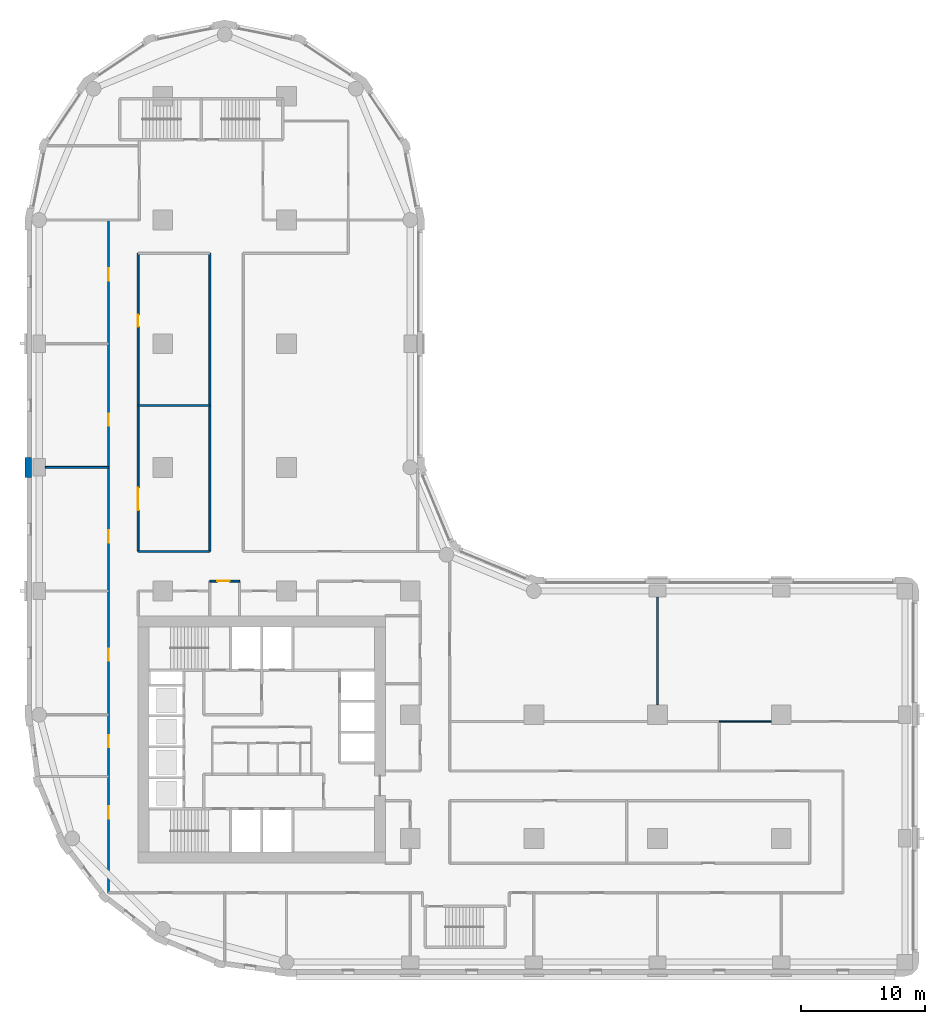
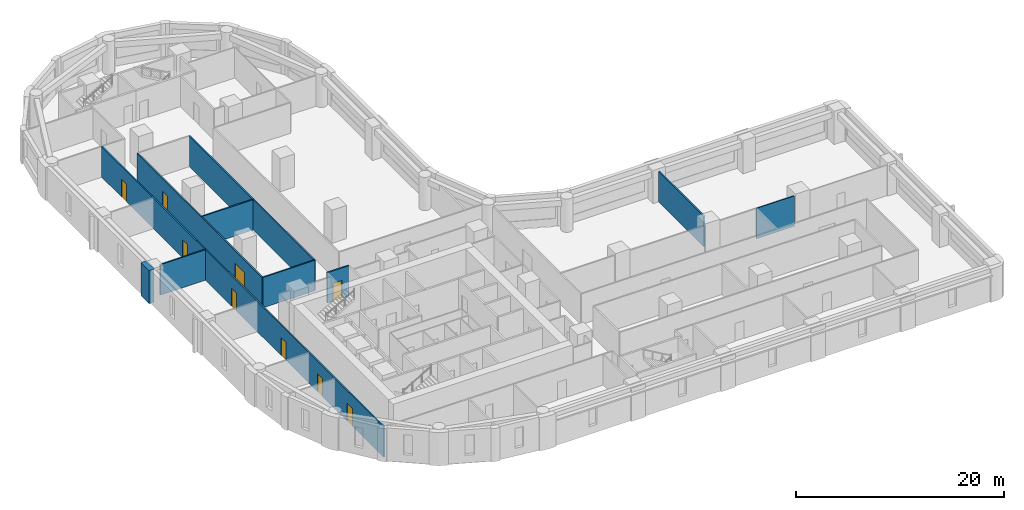
# One storey, part 5 of 11: 10 walls, 9 doors, 9 openings.
"""IFC4 building model written with IfcOpenShell, lengths in metres."""

from ifc_helpers import new_model, si_unit, direction, frame, frame_2d, origin, place, context, subcontext, project, spatial, polyline, rectangle, outline, extrude, material, layer, layer_set, type_object, element, fill, save


model = new_model("IFC4")

# Units and contexts
model_context = context("Model", 3, precision=1e-05, world=origin(), true_north=direction((0.0, 1.0)))
body_context = subcontext(model_context, "Body", "Model", "MODEL_VIEW")
ifc_project = project(units=[si_unit("LENGTHUNIT", "METRE"), si_unit("AREAUNIT", "SQUARE_METRE"), si_unit("VOLUMEUNIT", "CUBIC_METRE"), si_unit("PLANEANGLEUNIT", "RADIAN"), si_unit("MASSUNIT", "GRAM", prefix="KILO")], contexts=[model_context])

# Site, building, storey
site_placement = place(None, origin())
site = spatial("IfcSite", under=ifc_project, at=site_placement, CompositionType="ELEMENT")
building_placement = place(site_placement, origin())
building = spatial("IfcBuilding", under=site, at=building_placement, Name="Qaws Garden Tower", CompositionType="ELEMENT")
storey_placement = place(building_placement, frame((0.0, 0.0, 27.60009765625)))
storey = spatial("IfcBuildingStorey", under=building, at=storey_placement, Name="L06", CompositionType="ELEMENT", Elevation=27.60009765625)

# Walls
ifc_material_1 = material(Name="Clay facing brick masonry", Category="masonry")
ifc_layer_1 = layer(ifc_material_1, 0.550048828125)
ifc_layer_set_1 = layer_set([ifc_layer_1], Name="Clay facing brick masonry")
wall_type_1 = type_object("IfcWallType", Name="Brick pier 550 x 1600", PredefinedType="SOLIDWALL", material=ifc_layer_set_1)
wall_1_placement = place(storey_placement, origin())
element("IfcWall", 1, at=wall_1_placement, inside=storey, type_object=wall_type_1, Name="E-L06-pier-25", PredefinedType="SOLIDWALL", context=body_context, shape_type="SweptSolid", body=[
    extrude(outline(polyline([(-1.0, 40.800048828125), (-1.14990234375, 40.800048828125), (-1.14990234375, 40.0), (-1.14990234375, 39.199951171875), (-1.0, 39.199951171875), (-0.60009765625, 39.199951171875), (-0.60009765625, 40.0), (-0.60009765625, 40.800048828125), (-1.0, 40.800048828125)])), origin(), (0.0, 0.0, 1.0), 3.89990234375),
])
ifc_material_2 = material(Name="Gypsum board partition")
ifc_layer_2 = layer(ifc_material_2, 0.10009765625)
ifc_layer_set_2 = layer_set([ifc_layer_2], Name="Gypsum board partition")
wall_type_2 = type_object("IfcWallType", Name="PARTITION 100", PredefinedType="PARTITIONING", material=ifc_layer_set_2)
wall_2_placement = place(storey_placement, frame((55.0, 19.449951171875, 0.0), z_axis=(0.0, 0.0, 1.0), x_axis=(1.0, 0.0, 0.0)))
element("IfcWall", 2, at=wall_2_placement, inside=storey, type_object=wall_type_2, Name="O-L06-wall-002", PredefinedType="PARTITIONING", context=body_context, shape_type="SweptSolid", body=[
    extrude(rectangle(XDim=4.199951171875, YDim=0.10009765625, at=frame_2d((2.10009765625, 0.0))), origin(), (0.0, 0.0, 1.0), 3.579833984375),
])

# Wall, openings, doors
ifc_material_3 = material(Name="Gypsum board partition")
ifc_layer_3 = layer(ifc_material_3, 0.14990234375)
ifc_layer_set_3 = layer_set([ifc_layer_3], Name="Gypsum board partition")
wall_type_3 = type_object("IfcWallType", Name="PARTITION 150 EI 60", PredefinedType="PARTITIONING", material=ifc_layer_set_3)
wall_3_placement = place(storey_placement, frame((5.60009765625, 5.60009765625, 0.0), z_axis=(0.0, 0.0, 1.0), x_axis=(0.0, 1.0, 0.0)))
wall_3 = element("IfcWall", 3, at=wall_3_placement, inside=storey, type_object=wall_type_3, Name="O-L06-wall-005", PredefinedType="PARTITIONING", context=body_context, shape_type="SweptSolid", body=[
    extrude(rectangle(XDim=54.39990234375, YDim=0.14990234375, at=frame_2d((27.199951171875, 0.0))), origin(), (0.0, 0.0, 1.0), 3.579833984375),
])
opening_1_placement = place(wall_3_placement, frame((6.0, 0.0, 0.0)))
opening_1 = element("IfcOpeningElement", 4, at=opening_1_placement, cuts=wall_3, Name="Opening A201", PredefinedType="OPENING", context=body_context, shape_type="SweptSolid", body=[
    extrude(rectangle(XDim=1.0, YDim=2.10009765625, at=frame_2d((0.5, 1.050048828125))), frame((0.0, 0.0849609375, 0.0), z_axis=(0.0, -1.0, 0.0), x_axis=(1.0, 0.0, 0.0)), (0.0, 0.0, 1.0), 0.169921875),
])
opening_2_placement = place(wall_3_placement, frame((11.75, 0.0, 0.0)))
opening_2 = element("IfcOpeningElement", 5, at=opening_2_placement, cuts=wall_3, Name="Opening A202", PredefinedType="OPENING", context=body_context, shape_type="SweptSolid", body=[
    extrude(rectangle(XDim=1.0, YDim=2.10009765625, at=frame_2d((0.5, 1.050048828125))), frame((0.0, 0.0849609375, 0.0), z_axis=(0.0, -1.0, 0.0), x_axis=(1.0, 0.0, 0.0)), (0.0, 0.0, 1.0), 0.169921875),
])
opening_3_placement = place(wall_3_placement, frame((18.75, 0.0, 0.0)))
opening_3 = element("IfcOpeningElement", 6, at=opening_3_placement, cuts=wall_3, Name="Opening A212", PredefinedType="OPENING", context=body_context, shape_type="SweptSolid", body=[
    extrude(rectangle(XDim=1.0, YDim=2.10009765625, at=frame_2d((0.5, 1.050048828125))), frame((0.0, 0.0849609375, 0.0), z_axis=(0.0, -1.0, 0.0), x_axis=(1.0, 0.0, 0.0)), (0.0, 0.0, 1.0), 0.169921875),
])
opening_4_placement = place(wall_3_placement, frame((28.300048828125, 0.0, 0.0)))
opening_4 = element("IfcOpeningElement", 7, at=opening_4_placement, cuts=wall_3, Name="Opening A222", PredefinedType="OPENING", context=body_context, shape_type="SweptSolid", body=[
    extrude(rectangle(XDim=1.0, YDim=2.10009765625, at=frame_2d((0.5, 1.050048828125))), frame((0.0, 0.0849609375, 0.0), z_axis=(0.0, -1.0, 0.0), x_axis=(1.0, 0.0, 0.0)), (0.0, 0.0, 1.0), 0.169921875),
])
opening_5_placement = place(wall_3_placement, frame((37.75, 0.0, 0.0)))
opening_5 = element("IfcOpeningElement", 8, at=opening_5_placement, cuts=wall_3, Name="Opening A224", PredefinedType="OPENING", context=body_context, shape_type="SweptSolid", body=[
    extrude(rectangle(XDim=1.0, YDim=2.10009765625, at=frame_2d((0.5, 1.050048828125))), frame((0.0, 0.0849609375, 0.0), z_axis=(0.0, -1.0, 0.0), x_axis=(1.0, 0.0, 0.0)), (0.0, 0.0, 1.0), 0.169921875),
])
opening_6_placement = place(wall_3_placement, frame((49.5, 0.0, 0.0)))
opening_6 = element("IfcOpeningElement", 9, at=opening_6_placement, cuts=wall_3, Name="Opening A225", PredefinedType="OPENING", context=body_context, shape_type="SweptSolid", body=[
    extrude(rectangle(XDim=1.0, YDim=2.10009765625, at=frame_2d((0.5, 1.050048828125))), frame((0.0, 0.0849609375, 0.0), z_axis=(0.0, -1.0, 0.0), x_axis=(1.0, 0.0, 0.0)), (0.0, 0.0, 1.0), 0.169921875),
])
ifc_material_4 = material(Name="Timber door leaf", Category="wood")
door_type_1 = type_object("IfcDoorType", Name="TENANCY ENTRANCE DOOR 1000 X 2100", OperationType="SINGLE_SWING_LEFT", PredefinedType="DOOR", material=ifc_material_4)
door_1_placement = place(opening_1_placement, origin())
door_1 = element("IfcDoor", 10, at=door_1_placement, inside=storey, type_object=door_type_1, Name="O-L06-door-001", OperationType="SINGLE_SWING_RIGHT", OverallHeight=2.10009765625, OverallWidth=1.0, PredefinedType="DOOR", context=body_context, shape_type="SweptSolid", body=[
    extrude(rectangle(XDim=1.0, YDim=2.10009765625, at=frame_2d((0.5, 1.050048828125))), frame((0.0, 0.02490234375, 0.0), z_axis=(0.0, -1.0, 0.0), x_axis=(1.0, 0.0, 0.0)), (0.0, 0.0, 1.0), 0.050048828125),
])
fill(opening_1, door_1)
door_2_placement = place(opening_2_placement, origin())
door_2 = element("IfcDoor", 11, at=door_2_placement, inside=storey, type_object=door_type_1, Name="O-L06-door-002", OperationType="SINGLE_SWING_RIGHT", OverallHeight=2.10009765625, OverallWidth=1.0, PredefinedType="DOOR", context=body_context, shape_type="SweptSolid", body=[
    extrude(rectangle(XDim=1.0, YDim=2.10009765625, at=frame_2d((0.5, 1.050048828125))), frame((0.0, 0.02490234375, 0.0), z_axis=(0.0, -1.0, 0.0), x_axis=(1.0, 0.0, 0.0)), (0.0, 0.0, 1.0), 0.050048828125),
])
fill(opening_2, door_2)
door_3_placement = place(opening_3_placement, origin())
door_3 = element("IfcDoor", 12, at=door_3_placement, inside=storey, type_object=door_type_1, Name="O-L06-door-012", OperationType="SINGLE_SWING_RIGHT", OverallHeight=2.10009765625, OverallWidth=1.0, PredefinedType="DOOR", context=body_context, shape_type="SweptSolid", body=[
    extrude(rectangle(XDim=1.0, YDim=2.10009765625, at=frame_2d((0.5, 1.050048828125))), frame((0.0, 0.02490234375, 0.0), z_axis=(0.0, -1.0, 0.0), x_axis=(1.0, 0.0, 0.0)), (0.0, 0.0, 1.0), 0.050048828125),
])
fill(opening_3, door_3)
door_4_placement = place(opening_4_placement, origin())
door_4 = element("IfcDoor", 13, at=door_4_placement, inside=storey, type_object=door_type_1, Name="O-L06-door-022", OperationType="SINGLE_SWING_RIGHT", OverallHeight=2.10009765625, OverallWidth=1.0, PredefinedType="DOOR", context=body_context, shape_type="SweptSolid", body=[
    extrude(rectangle(XDim=1.0, YDim=2.10009765625, at=frame_2d((0.5, 1.050048828125))), frame((0.0, 0.02490234375, 0.0), z_axis=(0.0, -1.0, 0.0), x_axis=(1.0, 0.0, 0.0)), (0.0, 0.0, 1.0), 0.050048828125),
])
fill(opening_4, door_4)
door_5_placement = place(opening_5_placement, origin())
door_5 = element("IfcDoor", 14, at=door_5_placement, inside=storey, type_object=door_type_1, Name="O-L06-door-024", OperationType="SINGLE_SWING_LEFT", OverallHeight=2.10009765625, OverallWidth=1.0, PredefinedType="DOOR", context=body_context, shape_type="SweptSolid", body=[
    extrude(rectangle(XDim=1.0, YDim=2.10009765625, at=frame_2d((0.5, 1.050048828125))), frame((0.0, 0.02490234375, 0.0), z_axis=(0.0, -1.0, 0.0), x_axis=(1.0, 0.0, 0.0)), (0.0, 0.0, 1.0), 0.050048828125),
])
fill(opening_5, door_5)
door_6_placement = place(opening_6_placement, origin())
door_6 = element("IfcDoor", 15, at=door_6_placement, inside=storey, type_object=door_type_1, Name="O-L06-door-025", OperationType="SINGLE_SWING_LEFT", OverallHeight=2.10009765625, OverallWidth=1.0, PredefinedType="DOOR", context=body_context, shape_type="SweptSolid", body=[
    extrude(rectangle(XDim=1.0, YDim=2.10009765625, at=frame_2d((0.5, 1.050048828125))), frame((0.0, 0.02490234375, 0.0), z_axis=(0.0, -1.0, 0.0), x_axis=(1.0, 0.0, 0.0)), (0.0, 0.0, 1.0), 0.050048828125),
])
fill(opening_6, door_6)

wall_4_placement = place(storey_placement, frame((8.0, 33.199951171875, 0.0), z_axis=(0.0, 0.0, 1.0), x_axis=(0.0, 1.0, 0.0)))
wall_4 = element("IfcWall", 16, at=wall_4_placement, inside=storey, type_object=wall_type_3, Name="O-L06-wall-007", PredefinedType="PARTITIONING", context=body_context, shape_type="SweptSolid", body=[
    extrude(rectangle(XDim=24.10009765625, YDim=0.14990234375, at=frame_2d((12.050048828125, 0.0))), origin(), (0.0, 0.0, 1.0), 3.579833984375),
])
opening_7_placement = place(wall_4_placement, frame((3.35009765625, 0.0, 0.0)))
opening_7 = element("IfcOpeningElement", 17, at=opening_7_placement, cuts=wall_4, Name="Opening A217", PredefinedType="OPENING", context=body_context, shape_type="SweptSolid", body=[
    extrude(rectangle(XDim=1.800048828125, YDim=2.10009765625, at=frame_2d((0.89990234375, 1.050048828125))), frame((0.0, 0.0849609375, 0.0), z_axis=(0.0, -1.0, 0.0), x_axis=(1.0, 0.0, 0.0)), (0.0, 0.0, 1.0), 0.169921875),
])
opening_8_placement = place(wall_4_placement, frame((18.14990234375, 0.0, 0.0)))
opening_8 = element("IfcOpeningElement", 18, at=opening_8_placement, cuts=wall_4, Name="Opening A218", PredefinedType="OPENING", context=body_context, shape_type="SweptSolid", body=[
    extrude(rectangle(XDim=1.0, YDim=2.10009765625, at=frame_2d((0.5, 1.050048828125))), frame((0.0, 0.0849609375, 0.0), z_axis=(0.0, -1.0, 0.0), x_axis=(1.0, 0.0, 0.0)), (0.0, 0.0, 1.0), 0.169921875),
])
ifc_material_5 = material(Name="Timber door leaf", Category="wood")
door_type_2 = type_object("IfcDoorType", Name="DOUBLE DOOR 1800 X 2100", OperationType="DOUBLE_DOOR_SINGLE_SWING", PredefinedType="DOOR", material=ifc_material_5)
door_7_placement = place(opening_7_placement, frame((1.800048828125, 0.0, 0.0), z_axis=(0.0, 0.0, 1.0), x_axis=(-1.0, 0.0, 0.0)))
door_7 = element("IfcDoor", 19, at=door_7_placement, inside=storey, type_object=door_type_2, Name="O-L06-door-017", OperationType="DOUBLE_DOOR_SINGLE_SWING", OverallHeight=2.10009765625, OverallWidth=1.800048828125, PredefinedType="DOOR", context=body_context, shape_type="SweptSolid", body=[
    extrude(rectangle(XDim=1.800048828125, YDim=2.10009765625, at=frame_2d((0.89990234375, 1.050048828125))), frame((0.0, 0.02490234375, 0.0), z_axis=(0.0, -1.0, 0.0), x_axis=(1.0, 0.0, 0.0)), (0.0, 0.0, 1.0), 0.050048828125),
])
fill(opening_7, door_7)
door_8_placement = place(opening_8_placement, frame((1.0, 0.0, 0.0), z_axis=(0.0, 0.0, 1.0), x_axis=(-1.0, 0.0, 0.0)))
door_8 = element("IfcDoor", 20, at=door_8_placement, inside=storey, type_object=door_type_1, Name="O-L06-door-018", OperationType="SINGLE_SWING_RIGHT", OverallHeight=2.10009765625, OverallWidth=1.0, PredefinedType="DOOR", context=body_context, shape_type="SweptSolid", body=[
    extrude(rectangle(XDim=1.0, YDim=2.10009765625, at=frame_2d((0.5, 1.050048828125))), frame((0.0, 0.02490234375, 0.0), z_axis=(0.0, -1.0, 0.0), x_axis=(1.0, 0.0, 0.0)), (0.0, 0.0, 1.0), 0.050048828125),
])
fill(opening_8, door_8)

# Walls
wall_5_placement = place(storey_placement, frame((13.800048828125, 33.199951171875, 0.0), z_axis=(0.0, 0.0, 1.0), x_axis=(0.0, 1.0, 0.0)))
element("IfcWall", 21, at=wall_5_placement, inside=storey, type_object=wall_type_3, Name="O-L06-wall-010", PredefinedType="PARTITIONING", context=body_context, shape_type="SweptSolid", body=[
    extrude(rectangle(XDim=24.10009765625, YDim=0.14990234375, at=frame_2d((12.050048828125, 0.0))), origin(), (0.0, 0.0, 1.0), 3.579833984375),
])
wall_6_placement = place(storey_placement, frame((50.0, 20.800048828125, 0.0), z_axis=(0.0, 0.0, 1.0), x_axis=(0.0, 1.0, 0.0)))
element("IfcWall", 22, at=wall_6_placement, inside=storey, type_object=wall_type_3, Name="O-L06-wall-031", PredefinedType="PARTITIONING", context=body_context, shape_type="SweptSolid", body=[
    extrude(rectangle(XDim=8.699951171875, YDim=0.14990234375, at=frame_2d((4.35009765625, 0.0))), origin(), (0.0, 0.0, 1.0), 3.579833984375),
])

# Wall, opening, door
wall_7_placement = place(storey_placement, frame((13.800048828125, 30.800048828125, 0.0), z_axis=(0.0, 0.0, 1.0), x_axis=(1.0, 0.0, 0.0)))
wall_7 = element("IfcWall", 23, at=wall_7_placement, inside=storey, type_object=wall_type_3, Name="O-L06-wall-056", PredefinedType="PARTITIONING", context=body_context, shape_type="SweptSolid", body=[
    extrude(rectangle(XDim=2.39990234375, YDim=0.14990234375, at=frame_2d((1.199951171875, 0.0))), origin(), (0.0, 0.0, 1.0), 3.579833984375),
])
opening_9_placement = place(wall_7_placement, frame((0.60009765625, 0.0, 0.0)))
opening_9 = element("IfcOpeningElement", 24, at=opening_9_placement, cuts=wall_7, Name="Opening A223", PredefinedType="OPENING", context=body_context, shape_type="SweptSolid", body=[
    extrude(rectangle(XDim=1.0, YDim=2.10009765625, at=frame_2d((0.5, 1.050048828125))), frame((0.0, 0.0849609375, 0.0), z_axis=(0.0, -1.0, 0.0), x_axis=(1.0, 0.0, 0.0)), (0.0, 0.0, 1.0), 0.169921875),
])
door_9_placement = place(opening_9_placement, frame((1.0, 0.0, 0.0), z_axis=(0.0, 0.0, 1.0), x_axis=(-1.0, 0.0, 0.0)))
door_9 = element("IfcDoor", 25, at=door_9_placement, inside=storey, type_object=door_type_1, Name="O-L06-door-023", OperationType="SINGLE_SWING_RIGHT", OverallHeight=2.10009765625, OverallWidth=1.0, PredefinedType="DOOR", context=body_context, shape_type="SweptSolid", body=[
    extrude(rectangle(XDim=1.0, YDim=2.10009765625, at=frame_2d((0.5, 1.050048828125))), frame((0.0, 0.02490234375, 0.0), z_axis=(0.0, -1.0, 0.0), x_axis=(1.0, 0.0, 0.0)), (0.0, 0.0, 1.0), 0.050048828125),
])
fill(opening_9, door_9)

# Walls
wall_8_placement = place(storey_placement, frame((8.0, 33.199951171875, 0.0), z_axis=(0.0, 0.0, 1.0), x_axis=(1.0, 0.0, 0.0)))
element("IfcWall", 26, at=wall_8_placement, inside=storey, type_object=wall_type_3, Name="O-L06-wall-058", PredefinedType="PARTITIONING", context=body_context, shape_type="SweptSolid", body=[
    extrude(rectangle(XDim=5.800048828125, YDim=0.14990234375, at=frame_2d((2.89990234375, 0.0))), origin(), (0.0, 0.0, 1.0), 3.579833984375),
])
wall_9_placement = place(storey_placement, frame((0.5, 40.0, 0.0), z_axis=(0.0, 0.0, 1.0), x_axis=(1.0, 0.0, 0.0)))
element("IfcWall", 27, at=wall_9_placement, inside=storey, type_object=wall_type_3, Name="O-L06-wall-060", PredefinedType="PARTITIONING", context=body_context, shape_type="SweptSolid", body=[
    extrude(rectangle(XDim=5.10009765625, YDim=0.14990234375, at=frame_2d((2.550048828125, 0.0))), origin(), (0.0, 0.0, 1.0), 3.579833984375),
])
wall_10_placement = place(storey_placement, frame((8.0, 45.0, 0.0), z_axis=(0.0, 0.0, 1.0), x_axis=(1.0, 0.0, 0.0)))
element("IfcWall", 28, at=wall_10_placement, inside=storey, type_object=wall_type_3, Name="O-L06-wall-061", PredefinedType="PARTITIONING", context=body_context, shape_type="SweptSolid", body=[
    extrude(rectangle(XDim=5.800048828125, YDim=0.14990234375, at=frame_2d((2.89990234375, 0.0))), origin(), (0.0, 0.0, 1.0), 3.579833984375),
])

save(model, "model.ifc")
